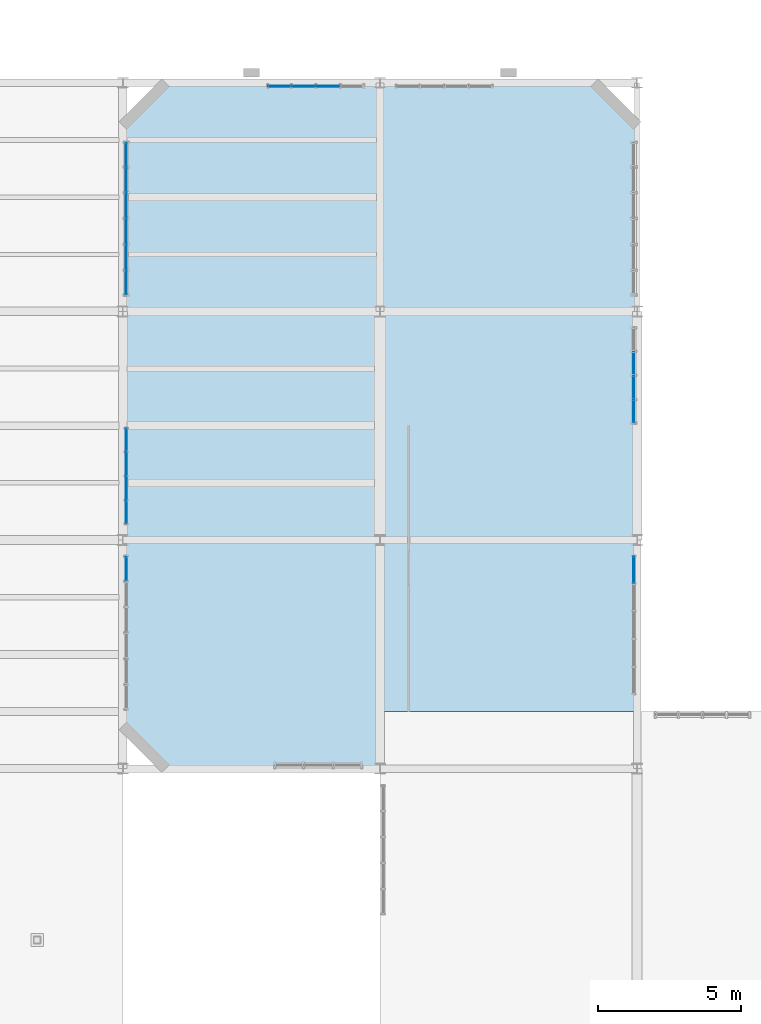
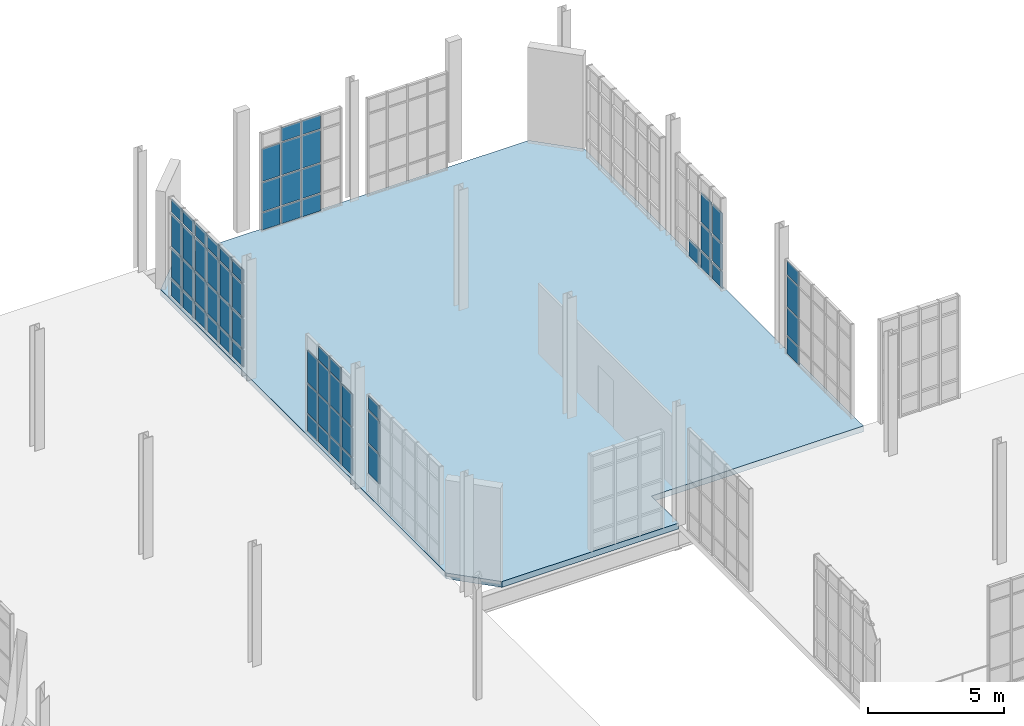
# One storey, part 161 of 189: 63 plates, 1 slab, 6 elements without a shape of their own.
"""IFC4 building model written with IfcOpenShell, lengths in metres."""

import ifcopenshell
import ifcopenshell.guid

model = None  # the IFC model being written
_history = None  # IfcOwnerHistory: only IFC2X3 demands one
_inside = {}  # id of a spatial element -> (the spatial element, [elements in it])
_under = {}  # id of a project, library or spatial element -> (it, [spatial elements below it])
_declared = {}  # id of a project -> (the project, [libraries it declares])
_typed = {}  # id of a type object -> (the type object, [elements of that type])
_made_of = {}  # id of a material, layer set ... -> (it, [elements and type objects made of it])


def new_model(schema):
    """Start an empty IFC model of exactly this schema.

    Asked for "IFC4X3", IfcOpenShell would pick the latest addendum, in which some entities
    have other attributes; the version numbers below select the first issue.
    IFC2X3 requires an IfcOwnerHistory on every rooted entity: one is made here for all.
    """
    global model, _history
    if schema == "IFC4X3":
        model = ifcopenshell.file(schema_version=(4, 3, 0, 0))
    else:
        model = ifcopenshell.file(schema=schema)
    _inside.clear()
    _under.clear()
    _declared.clear()
    _typed.clear()
    _made_of.clear()
    _history = None
    if model.schema == "IFC2X3":
        org = make("IfcOrganization", Name="unknown")
        user = make(
            "IfcPersonAndOrganization",
            ThePerson=make("IfcPerson", FamilyName="unknown"),
            TheOrganization=org,
        )
        app = make(
            "IfcApplication",
            ApplicationDeveloper=org,
            Version="unknown",
            ApplicationFullName="unknown",
            ApplicationIdentifier="unknown",
        )
        _history = make(
            "IfcOwnerHistory",
            OwningUser=user,
            OwningApplication=app,
            ChangeAction="ADDED",
            CreationDate=0,
        )
    return model


def make(cls, **values):
    """One entity of the class cls with the attributes given. An attribute that is None is left unset."""
    return model.create_entity(
        cls, **{name: value for name, value in values.items() if value is not None}
    )


def rooted(cls, **values):
    """An entity with a GlobalId (a new one), such as an element, a storey or a relation."""
    return make(cls, GlobalId=ifcopenshell.guid.new(), OwnerHistory=_history, **values)


def si_unit(unit_type, name, prefix=None):
    """IfcSIUnit, for example si_unit("LENGTHUNIT", "METRE", prefix="MILLI")."""
    return make("IfcSIUnit", UnitType=unit_type, Prefix=prefix, Name=name)


def assignment(units):
    """IfcUnitAssignment: the units of a project."""
    return None if units is None else make("IfcUnitAssignment", Units=units)


def point(xyz):
    """IfcCartesianPoint."""
    return None if xyz is None else make("IfcCartesianPoint", Coordinates=xyz)


def direction(xyz):
    """IfcDirection."""
    return None if xyz is None else make("IfcDirection", DirectionRatios=xyz)


def frame(location, z_axis=None, x_axis=None):
    """IfcAxis2Placement3D, a coordinate frame: its origin and axes. An axis left out is left unset."""
    return make(
        "IfcAxis2Placement3D",
        Location=point(location),
        Axis=direction(z_axis),
        RefDirection=direction(x_axis),
    )


def frame_2d(location, x_axis=None):
    """IfcAxis2Placement2D, a coordinate frame in the plane: its origin and x axis."""
    return make(
        "IfcAxis2Placement2D", Location=point(location), RefDirection=direction(x_axis)
    )


def origin():
    """The frame at (0, 0, 0) with its axes left unset."""
    return frame((0.0, 0.0, 0.0))


def origin_2d():
    """The frame at (0, 0) in the plane with its x axis left unset."""
    return frame_2d((0.0, 0.0))


def place(relative_to, where):
    """IfcLocalPlacement: puts the frame where relative to a parent placement (None: the world)."""
    return make(
        "IfcLocalPlacement", PlacementRelTo=relative_to, RelativePlacement=where
    )


def context(
    kind, dimensions, precision=None, world=None, true_north=None, identifier=None
):
    """IfcGeometricRepresentationContext, for example the 3D "Model" context."""
    return make(
        "IfcGeometricRepresentationContext",
        ContextIdentifier=identifier,
        ContextType=kind,
        CoordinateSpaceDimension=dimensions,
        Precision=precision,
        WorldCoordinateSystem=world,
        TrueNorth=true_north,
    )


def subcontext(parent, identifier, kind, view, scale=None):
    """IfcGeometricRepresentationSubContext, for example "Body" below "Model"."""
    return make(
        "IfcGeometricRepresentationSubContext",
        ContextIdentifier=identifier,
        ContextType=kind,
        ParentContext=parent,
        TargetScale=scale,
        TargetView=view,
    )


def project(units=None, contexts=None):
    """IfcProject with its units and contexts."""
    return rooted(
        "IfcProject",
        Name="project",
        RepresentationContexts=contexts,
        UnitsInContext=assignment(units),
    )


def spatial(cls, under=None, at=None, **own):
    """A site, building, storey or space (cls), placed at a placement, below another one or the project."""
    s = rooted(cls, ObjectPlacement=at, **own)
    if under is not None:
        _under.setdefault(under.id(), (under, []))[1].append(s)
    return s


def polyline(points):
    """IfcPolyline through the points."""
    return make("IfcPolyline", Points=[point(p) for p in points])


def profile(cls, at=None, kind="AREA", **sizes):
    """A parametric profile (cls). Its sizes go by their IFC names, for example OverallWidth=200.0."""
    return make(cls, ProfileType=kind, Position=at, **sizes)


def rectangle(**sizes):
    """IfcRectangleProfileDef."""
    return profile("IfcRectangleProfileDef", **sizes)


def outline(outer, holes=None, kind="AREA"):
    """IfcArbitraryClosedProfileDef: a profile drawn as a closed curve; with holes, ...WithVoids."""
    if holes is None:
        return make("IfcArbitraryClosedProfileDef", ProfileType=kind, OuterCurve=outer)
    return make(
        "IfcArbitraryProfileDefWithVoids",
        ProfileType=kind,
        OuterCurve=outer,
        InnerCurves=holes,
    )


def extrude(swept, where, along, depth):
    """IfcExtrudedAreaSolid: the profile swept, set in the frame where, extruded along a direction by depth."""
    return make(
        "IfcExtrudedAreaSolid",
        SweptArea=swept,
        Position=where,
        ExtrudedDirection=direction(along),
        Depth=depth,
    )


def shape(context_of_items, identifier, shape_type, items):
    """IfcShapeRepresentation: the items that make up one representation, for example the "Body"."""
    return make(
        "IfcShapeRepresentation",
        ContextOfItems=context_of_items,
        RepresentationIdentifier=identifier,
        RepresentationType=shape_type,
        Items=items,
    )


def material(Name=None, Category=None):
    """IfcMaterial."""
    return make("IfcMaterial", Name=Name, Category=Category)


def layer(
    of_material, thickness, ventilated=None, Name=None, Category=None, Priority=None
):
    """IfcMaterialLayer: one layer of a wall or slab, of a material (None: an air gap)."""
    return make(
        "IfcMaterialLayer",
        Material=of_material,
        LayerThickness=thickness,
        IsVentilated=ventilated,
        Name=Name,
        Category=Category,
        Priority=Priority,
    )


def layer_set(layers, Name=None):
    """IfcMaterialLayerSet."""
    return make("IfcMaterialLayerSet", MaterialLayers=layers, LayerSetName=Name)


def made_of(thing, what):
    """Note that an element or type object is made of a material, layer set ...; save() writes the relation."""
    if what is not None:
        _made_of.setdefault(what.id(), (what, []))[1].append(thing)
    return thing


def type_object(cls, material=None, **own):
    """A type object (cls), such as IfcWallType, which elements share."""
    return made_of(rooted(cls, **own), material)


def element(
    cls,
    number,
    at=None,
    inside=None,
    cuts=None,
    type_object=None,
    material=None,
    context=None,
    identifier="Body",
    shape_type=None,
    held_by="IfcProductDefinitionShape",
    body=None,
    shapes=None,
    **own,
):
    """One element of the class cls, such as IfcWall. Its Tag is "e" and its number.

    at: its placement. inside: the storey or other place that contains it. cuts: it is an
    opening in that element (IfcRelVoidsElement). A single representation is given by context,
    identifier, shape_type and body (its items); several are given by shapes. held_by: the class
    of the entity that holds the representations. save() writes the other relations.
    """
    e = rooted(cls, Tag="e%d" % number, ObjectPlacement=at, **own)
    if body is not None:
        shapes = [shape(context, identifier, shape_type, body)]
    if shapes is not None:
        e.Representation = make(held_by, Representations=shapes)
    if inside is not None:
        _inside.setdefault(inside.id(), (inside, []))[1].append(e)
    if cuts is not None:
        rooted(
            "IfcRelVoidsElement", RelatingBuildingElement=cuts, RelatedOpeningElement=e
        )
    if type_object is not None:
        _typed.setdefault(type_object.id(), (type_object, []))[1].append(e)
    return made_of(e, material)


def aggregate(whole, parts):
    """IfcRelAggregates: a whole, such as a stair, and the parts it consists of."""
    return rooted("IfcRelAggregates", RelatingObject=whole, RelatedObjects=parts)


def save(model, path):
    """Write the relations noted so far, then the file.

    IfcRelAggregates (storeys below a building ...), IfcRelContainedInSpatialStructure (elements
    in a storey), IfcRelDefinesByType, IfcRelAssociatesMaterial and IfcRelDeclares: one each for
    every whole, place, type object, material and project.
    """
    for whole, parts in _under.values():
        aggregate(whole, parts)
    for where, things in _inside.values():
        rooted(
            "IfcRelContainedInSpatialStructure",
            RelatedElements=things,
            RelatingStructure=where,
        )
    for kind, things in _typed.values():
        rooted("IfcRelDefinesByType", RelatedObjects=things, RelatingType=kind)
    for what, things in _made_of.values():
        rooted("IfcRelAssociatesMaterial", RelatedObjects=things, RelatingMaterial=what)
    for by, libraries in _declared.values():
        rooted("IfcRelDeclares", RelatingContext=by, RelatedDefinitions=libraries)
    model.write(path)


model = new_model("IFC4")

# Units and contexts
model_context = context("Model", 3, precision=1e-05, world=origin(), true_north=direction((0.0, 1.0)))
body_context = subcontext(model_context, "Body", "Model", "MODEL_VIEW")
ifc_project = project(units=[si_unit("LENGTHUNIT", "METRE"), si_unit("AREAUNIT", "SQUARE_METRE"), si_unit("VOLUMEUNIT", "CUBIC_METRE"), si_unit("PLANEANGLEUNIT", "RADIAN"), si_unit("MASSUNIT", "GRAM", prefix="KILO"), si_unit("THERMODYNAMICTEMPERATUREUNIT", "KELVIN"), si_unit("POWERUNIT", "WATT")], contexts=[model_context])

# Site, building, storey
site_placement = place(None, origin())
site = spatial("IfcSite", under=ifc_project, at=site_placement, CompositionType="ELEMENT")
building_placement = place(site_placement, origin())
building = spatial("IfcBuilding", under=site, at=building_placement, Name="Zelmaris Science Centre", CompositionType="ELEMENT")
storey_placement = place(building_placement, origin())
storey = spatial("IfcBuildingStorey", under=building, at=storey_placement, Name="L00", CompositionType="ELEMENT", Elevation=0.0)

# Curtain wall, plates
ifc_material_1 = material(Name="Anodised architectural aluminium 6063-T6", Category="aluminium")
ifc_layer_1 = layer(ifc_material_1, 0.199951171875, Name="Anodised architectural aluminium 6063-T6")
ifc_layer_set_1 = layer_set([ifc_layer_1], Name="Anodised architectural aluminium 6063-T6")
curtain_wall_type_1 = type_object("IfcCurtainWallType", Name="Curtain Wall CW-02", PredefinedType="USERDEFINED", material=ifc_layer_set_1)
curtain_wall_1_placement = place(storey_placement, origin())
curtain_wall_1 = element("IfcCurtainWall", 1, at=curtain_wall_1_placement, inside=storey, type_object=curtain_wall_type_1, Name="L00 Unitised curtain wall 82", ObjectType="GLAZED CURTAIN WALL", PredefinedType="USERDEFINED")
ifc_material_2 = material(Name="Laminated hurricane-rated low-E insulated glazing", Category="glass")
ifc_layer_2 = layer(ifc_material_2, 0.028076171875, Name="Laminated hurricane-rated low-E insulated glazing")
ifc_layer_set_2 = layer_set([ifc_layer_2], Name="Laminated hurricane-rated low-E insulated glazing")
plate_type_1 = type_object("IfcPlateType", Name="Curtain Glazing Panel CWP-2 28mm", PredefinedType="CURTAIN_PANEL", material=ifc_layer_set_2)
plate_1_placement = place(storey_placement, frame((90.1201171875, 81.00830078125, 0.052001953125), z_axis=(0.0, 0.0, 1.0), x_axis=(0.0, 1.0, 0.0)))
plate_1 = element("IfcPlate", 2, at=plate_1_placement, type_object=plate_type_1, Name="CW-02 panel 1.1", PredefinedType="CURTAIN_PANEL", context=body_context, shape_type="SweptSolid", body=[
    extrude(rectangle(XDim=0.802734375, YDim=0.028076171875, at=origin_2d()), origin(), (0.0, 0.0, 1.0), 0.74951171875),
])
plate_2_placement = place(storey_placement, frame((90.1201171875, 81.00830078125, 0.86865234375), z_axis=(0.0, 0.0, 1.0), x_axis=(0.0, 1.0, 0.0)))
plate_2 = element("IfcPlate", 3, at=plate_2_placement, type_object=plate_type_1, Name="CW-02 panel 1.2", PredefinedType="CURTAIN_PANEL", context=body_context, shape_type="SweptSolid", body=[
    extrude(rectangle(XDim=0.802734375, YDim=0.028076171875, at=origin_2d()), origin(), (0.0, 0.0, 1.0), 1.326904296875),
])
plate_3_placement = place(storey_placement, frame((90.1201171875, 81.00830078125, 2.262451171875), z_axis=(0.0, 0.0, 1.0), x_axis=(0.0, 1.0, 0.0)))
plate_3 = element("IfcPlate", 4, at=plate_3_placement, type_object=plate_type_1, Name="CW-02 panel 1.3", PredefinedType="CURTAIN_PANEL", context=body_context, shape_type="SweptSolid", body=[
    extrude(rectangle(XDim=0.802734375, YDim=0.028076171875, at=origin_2d()), origin(), (0.0, 0.0, 1.0), 1.47705078125),
])
plate_4_placement = place(storey_placement, frame((90.1201171875, 81.00830078125, 3.806396484375), z_axis=(0.0, 0.0, 1.0), x_axis=(0.0, 1.0, 0.0)))
plate_4 = element("IfcPlate", 5, at=plate_4_placement, type_object=plate_type_1, Name="CW-02 panel 1.4", PredefinedType="CURTAIN_PANEL", context=body_context, shape_type="SweptSolid", body=[
    extrude(rectangle(XDim=0.802734375, YDim=0.028076171875, at=origin_2d()), origin(), (0.0, 0.0, 1.0), 0.599609375),
])
plate_5_placement = place(storey_placement, frame((90.1201171875, 81.89501953125, 0.052001953125), z_axis=(0.0, 0.0, 1.0), x_axis=(0.0, 1.0, 0.0)))
plate_5 = element("IfcPlate", 6, at=plate_5_placement, type_object=plate_type_1, Name="CW-02 panel 2.1", PredefinedType="CURTAIN_PANEL", context=body_context, shape_type="SweptSolid", body=[
    extrude(rectangle(XDim=0.83642578125, YDim=0.028076171875, at=origin_2d()), origin(), (0.0, 0.0, 1.0), 0.74951171875),
])
plate_6_placement = place(storey_placement, frame((90.1201171875, 81.89501953125, 0.86865234375), z_axis=(0.0, 0.0, 1.0), x_axis=(0.0, 1.0, 0.0)))
plate_6 = element("IfcPlate", 7, at=plate_6_placement, type_object=plate_type_1, Name="CW-02 panel 2.2", PredefinedType="CURTAIN_PANEL", context=body_context, shape_type="SweptSolid", body=[
    extrude(rectangle(XDim=0.83642578125, YDim=0.028076171875, at=origin_2d()), origin(), (0.0, 0.0, 1.0), 1.326904296875),
])
plate_7_placement = place(storey_placement, frame((90.1201171875, 81.89501953125, 2.262451171875), z_axis=(0.0, 0.0, 1.0), x_axis=(0.0, 1.0, 0.0)))
plate_7 = element("IfcPlate", 8, at=plate_7_placement, type_object=plate_type_1, Name="CW-02 panel 2.3", PredefinedType="CURTAIN_PANEL", context=body_context, shape_type="SweptSolid", body=[
    extrude(rectangle(XDim=0.83642578125, YDim=0.028076171875, at=origin_2d()), origin(), (0.0, 0.0, 1.0), 1.47705078125),
])
plate_8_placement = place(storey_placement, frame((90.1201171875, 81.89501953125, 3.806396484375), z_axis=(0.0, 0.0, 1.0), x_axis=(0.0, 1.0, 0.0)))
plate_8 = element("IfcPlate", 9, at=plate_8_placement, type_object=plate_type_1, Name="CW-02 panel 2.4", PredefinedType="CURTAIN_PANEL", context=body_context, shape_type="SweptSolid", body=[
    extrude(rectangle(XDim=0.83642578125, YDim=0.028076171875, at=origin_2d()), origin(), (0.0, 0.0, 1.0), 0.599609375),
])
plate_9_placement = place(storey_placement, frame((90.1201171875, 82.79833984375, 0.052001953125), z_axis=(0.0, 0.0, 1.0), x_axis=(0.0, 1.0, 0.0)))
plate_9 = element("IfcPlate", 10, at=plate_9_placement, type_object=plate_type_1, Name="CW-02 panel 3.1", PredefinedType="CURTAIN_PANEL", context=body_context, shape_type="SweptSolid", body=[
    extrude(rectangle(XDim=0.83642578125, YDim=0.028076171875, at=origin_2d()), origin(), (0.0, 0.0, 1.0), 0.74951171875),
])
plate_10_placement = place(storey_placement, frame((90.1201171875, 82.79833984375, 0.86865234375), z_axis=(0.0, 0.0, 1.0), x_axis=(0.0, 1.0, 0.0)))
plate_10 = element("IfcPlate", 11, at=plate_10_placement, type_object=plate_type_1, Name="CW-02 panel 3.2", PredefinedType="CURTAIN_PANEL", context=body_context, shape_type="SweptSolid", body=[
    extrude(rectangle(XDim=0.83642578125, YDim=0.028076171875, at=origin_2d()), origin(), (0.0, 0.0, 1.0), 1.326904296875),
])
plate_11_placement = place(storey_placement, frame((90.1201171875, 82.79833984375, 2.262451171875), z_axis=(0.0, 0.0, 1.0), x_axis=(0.0, 1.0, 0.0)))
plate_11 = element("IfcPlate", 12, at=plate_11_placement, type_object=plate_type_1, Name="CW-02 panel 3.3", PredefinedType="CURTAIN_PANEL", context=body_context, shape_type="SweptSolid", body=[
    extrude(rectangle(XDim=0.83642578125, YDim=0.028076171875, at=origin_2d()), origin(), (0.0, 0.0, 1.0), 1.47705078125),
])
plate_12_placement = place(storey_placement, frame((90.1201171875, 82.79833984375, 3.806396484375), z_axis=(0.0, 0.0, 1.0), x_axis=(0.0, 1.0, 0.0)))
plate_12 = element("IfcPlate", 13, at=plate_12_placement, type_object=plate_type_1, Name="CW-02 panel 3.4", PredefinedType="CURTAIN_PANEL", context=body_context, shape_type="SweptSolid", body=[
    extrude(rectangle(XDim=0.83642578125, YDim=0.028076171875, at=origin_2d()), origin(), (0.0, 0.0, 1.0), 0.599609375),
])
plate_13_placement = place(storey_placement, frame((90.1201171875, 83.70166015625, 0.052001953125), z_axis=(0.0, 0.0, 1.0), x_axis=(0.0, 1.0, 0.0)))
plate_13 = element("IfcPlate", 14, at=plate_13_placement, type_object=plate_type_1, Name="CW-02 panel 4.1", PredefinedType="CURTAIN_PANEL", context=body_context, shape_type="SweptSolid", body=[
    extrude(rectangle(XDim=0.83642578125, YDim=0.028076171875, at=origin_2d()), origin(), (0.0, 0.0, 1.0), 0.74951171875),
])
plate_14_placement = place(storey_placement, frame((90.1201171875, 83.70166015625, 0.86865234375), z_axis=(0.0, 0.0, 1.0), x_axis=(0.0, 1.0, 0.0)))
plate_14 = element("IfcPlate", 15, at=plate_14_placement, type_object=plate_type_1, Name="CW-02 panel 4.2", PredefinedType="CURTAIN_PANEL", context=body_context, shape_type="SweptSolid", body=[
    extrude(rectangle(XDim=0.83642578125, YDim=0.028076171875, at=origin_2d()), origin(), (0.0, 0.0, 1.0), 1.326904296875),
])
plate_15_placement = place(storey_placement, frame((90.1201171875, 83.70166015625, 2.262451171875), z_axis=(0.0, 0.0, 1.0), x_axis=(0.0, 1.0, 0.0)))
plate_15 = element("IfcPlate", 16, at=plate_15_placement, type_object=plate_type_1, Name="CW-02 panel 4.3", PredefinedType="CURTAIN_PANEL", context=body_context, shape_type="SweptSolid", body=[
    extrude(rectangle(XDim=0.83642578125, YDim=0.028076171875, at=origin_2d()), origin(), (0.0, 0.0, 1.0), 1.47705078125),
])
plate_16_placement = place(storey_placement, frame((90.1201171875, 83.70166015625, 3.806396484375), z_axis=(0.0, 0.0, 1.0), x_axis=(0.0, 1.0, 0.0)))
plate_16 = element("IfcPlate", 17, at=plate_16_placement, type_object=plate_type_1, Name="CW-02 panel 4.4", PredefinedType="CURTAIN_PANEL", context=body_context, shape_type="SweptSolid", body=[
    extrude(rectangle(XDim=0.83642578125, YDim=0.028076171875, at=origin_2d()), origin(), (0.0, 0.0, 1.0), 0.599609375),
])
plate_17_placement = place(storey_placement, frame((90.1201171875, 84.60498046875, 0.052001953125), z_axis=(0.0, 0.0, 1.0), x_axis=(0.0, 1.0, 0.0)))
plate_17 = element("IfcPlate", 18, at=plate_17_placement, type_object=plate_type_1, Name="CW-02 panel 5.1", PredefinedType="CURTAIN_PANEL", context=body_context, shape_type="SweptSolid", body=[
    extrude(rectangle(XDim=0.83642578125, YDim=0.028076171875, at=origin_2d()), origin(), (0.0, 0.0, 1.0), 0.74951171875),
])
plate_18_placement = place(storey_placement, frame((90.1201171875, 84.60498046875, 0.86865234375), z_axis=(0.0, 0.0, 1.0), x_axis=(0.0, 1.0, 0.0)))
plate_18 = element("IfcPlate", 19, at=plate_18_placement, type_object=plate_type_1, Name="CW-02 panel 5.2", PredefinedType="CURTAIN_PANEL", context=body_context, shape_type="SweptSolid", body=[
    extrude(rectangle(XDim=0.83642578125, YDim=0.028076171875, at=origin_2d()), origin(), (0.0, 0.0, 1.0), 1.326904296875),
])
plate_19_placement = place(storey_placement, frame((90.1201171875, 84.60498046875, 2.262451171875), z_axis=(0.0, 0.0, 1.0), x_axis=(0.0, 1.0, 0.0)))
plate_19 = element("IfcPlate", 20, at=plate_19_placement, type_object=plate_type_1, Name="CW-02 panel 5.3", PredefinedType="CURTAIN_PANEL", context=body_context, shape_type="SweptSolid", body=[
    extrude(rectangle(XDim=0.83642578125, YDim=0.028076171875, at=origin_2d()), origin(), (0.0, 0.0, 1.0), 1.47705078125),
])
plate_20_placement = place(storey_placement, frame((90.1201171875, 84.60498046875, 3.806396484375), z_axis=(0.0, 0.0, 1.0), x_axis=(0.0, 1.0, 0.0)))
plate_20 = element("IfcPlate", 21, at=plate_20_placement, type_object=plate_type_1, Name="CW-02 panel 5.4", PredefinedType="CURTAIN_PANEL", context=body_context, shape_type="SweptSolid", body=[
    extrude(rectangle(XDim=0.83642578125, YDim=0.028076171875, at=origin_2d()), origin(), (0.0, 0.0, 1.0), 0.599609375),
])
plate_21_placement = place(storey_placement, frame((90.1201171875, 85.49169921875, 0.052001953125), z_axis=(0.0, 0.0, 1.0), x_axis=(0.0, 1.0, 0.0)))
plate_21 = element("IfcPlate", 22, at=plate_21_placement, type_object=plate_type_1, Name="CW-02 panel 6.1", PredefinedType="CURTAIN_PANEL", context=body_context, shape_type="SweptSolid", body=[
    extrude(rectangle(XDim=0.802734375, YDim=0.028076171875, at=origin_2d()), origin(), (0.0, 0.0, 1.0), 0.74951171875),
])
plate_22_placement = place(storey_placement, frame((90.1201171875, 85.49169921875, 0.86865234375), z_axis=(0.0, 0.0, 1.0), x_axis=(0.0, 1.0, 0.0)))
plate_22 = element("IfcPlate", 23, at=plate_22_placement, type_object=plate_type_1, Name="CW-02 panel 6.2", PredefinedType="CURTAIN_PANEL", context=body_context, shape_type="SweptSolid", body=[
    extrude(rectangle(XDim=0.802734375, YDim=0.028076171875, at=origin_2d()), origin(), (0.0, 0.0, 1.0), 1.326904296875),
])
plate_23_placement = place(storey_placement, frame((90.1201171875, 85.49169921875, 2.262451171875), z_axis=(0.0, 0.0, 1.0), x_axis=(0.0, 1.0, 0.0)))
plate_23 = element("IfcPlate", 24, at=plate_23_placement, type_object=plate_type_1, Name="CW-02 panel 6.3", PredefinedType="CURTAIN_PANEL", context=body_context, shape_type="SweptSolid", body=[
    extrude(rectangle(XDim=0.802734375, YDim=0.028076171875, at=origin_2d()), origin(), (0.0, 0.0, 1.0), 1.47705078125),
])
plate_24_placement = place(storey_placement, frame((90.1201171875, 85.49169921875, 3.806396484375), z_axis=(0.0, 0.0, 1.0), x_axis=(0.0, 1.0, 0.0)))
plate_24 = element("IfcPlate", 25, at=plate_24_placement, type_object=plate_type_1, Name="CW-02 panel 6.4", PredefinedType="CURTAIN_PANEL", context=body_context, shape_type="SweptSolid", body=[
    extrude(rectangle(XDim=0.802734375, YDim=0.028076171875, at=origin_2d()), origin(), (0.0, 0.0, 1.0), 0.599609375),
])
aggregate(curtain_wall_1, [plate_1, plate_2, plate_3, plate_4, plate_5, plate_6, plate_7, plate_8, plate_9, plate_10, plate_11, plate_12, plate_13, plate_14, plate_15, plate_16, plate_17, plate_18, plate_19, plate_20, plate_21, plate_22, plate_23, plate_24])

curtain_wall_2_placement = place(storey_placement, origin())
curtain_wall_2 = element("IfcCurtainWall", 26, at=curtain_wall_2_placement, inside=storey, type_object=curtain_wall_type_1, Name="L00 Unitised curtain wall 86", ObjectType="GLAZED CURTAIN WALL", PredefinedType="USERDEFINED")
plate_25_placement = place(storey_placement, frame((107.881103515625, 78.18505859375, 0.052001953125), z_axis=(0.0, 0.0, 1.0), x_axis=(0.000147058824, -0.999999989187, 0.0)))
plate_25 = element("IfcPlate", 27, at=plate_25_placement, type_object=plate_type_1, Name="CW-02 panel 2.1", PredefinedType="CURTAIN_PANEL", context=body_context, shape_type="SweptSolid", body=[
    extrude(rectangle(XDim=0.782958984375, YDim=0.028076171875, at=origin_2d()), origin(), (0.0, 0.0, 1.0), 0.74951171875),
])
plate_26_placement = place(storey_placement, frame((107.881103515625, 77.3349609375, 0.052001953125), z_axis=(0.0, 0.0, 1.0), x_axis=(0.000147058824, -0.999999989187, 0.0)))
plate_26 = element("IfcPlate", 28, at=plate_26_placement, type_object=plate_type_1, Name="CW-02 panel 3.1", PredefinedType="CURTAIN_PANEL", context=body_context, shape_type="SweptSolid", body=[
    extrude(rectangle(XDim=0.782958984375, YDim=0.028076171875, at=origin_2d()), origin(), (0.0, 0.0, 1.0), 0.74951171875),
])
plate_27_placement = place(storey_placement, frame((107.881103515625, 77.3349609375, 0.86865234375), z_axis=(0.0, 0.0, 1.0), x_axis=(0.000147058824, -0.999999989187, 0.0)))
plate_27 = element("IfcPlate", 29, at=plate_27_placement, type_object=plate_type_1, Name="CW-02 panel 3.2", PredefinedType="CURTAIN_PANEL", context=body_context, shape_type="SweptSolid", body=[
    extrude(rectangle(XDim=0.782958984375, YDim=0.028076171875, at=origin_2d()), origin(), (0.0, 0.0, 1.0), 1.16943359375),
])
plate_28_placement = place(storey_placement, frame((107.881103515625, 77.3349609375, 2.10498046875), z_axis=(0.0, 0.0, 1.0), x_axis=(0.000147058824, -0.999999989187, 0.0)))
plate_28 = element("IfcPlate", 30, at=plate_28_placement, type_object=plate_type_1, Name="CW-02 panel 3.3", PredefinedType="CURTAIN_PANEL", context=body_context, shape_type="SweptSolid", body=[
    extrude(rectangle(XDim=0.782958984375, YDim=0.028076171875, at=origin_2d()), origin(), (0.0, 0.0, 1.0), 1.319580078125),
])
plate_29_placement = place(storey_placement, frame((107.88134765625, 76.501708984375, 0.052001953125), z_axis=(0.0, 0.0, 1.0), x_axis=(0.000147058824, -0.999999989187, 0.0)))
plate_29 = element("IfcPlate", 31, at=plate_29_placement, type_object=plate_type_1, Name="CW-02 panel 4.1", PredefinedType="CURTAIN_PANEL", context=body_context, shape_type="SweptSolid", body=[
    extrude(rectangle(XDim=0.74951171875, YDim=0.028076171875, at=origin_2d()), origin(), (0.0, 0.0, 1.0), 0.74951171875),
])
plate_30_placement = place(storey_placement, frame((107.88134765625, 76.501708984375, 0.86865234375), z_axis=(0.0, 0.0, 1.0), x_axis=(0.000147058824, -0.999999989187, 0.0)))
plate_30 = element("IfcPlate", 32, at=plate_30_placement, type_object=plate_type_1, Name="CW-02 panel 4.2", PredefinedType="CURTAIN_PANEL", context=body_context, shape_type="SweptSolid", body=[
    extrude(rectangle(XDim=0.74951171875, YDim=0.028076171875, at=origin_2d()), origin(), (0.0, 0.0, 1.0), 1.16943359375),
])
plate_31_placement = place(storey_placement, frame((107.88134765625, 76.501708984375, 2.10498046875), z_axis=(0.0, 0.0, 1.0), x_axis=(0.000147058824, -0.999999989187, 0.0)))
plate_31 = element("IfcPlate", 33, at=plate_31_placement, type_object=plate_type_1, Name="CW-02 panel 4.3", PredefinedType="CURTAIN_PANEL", context=body_context, shape_type="SweptSolid", body=[
    extrude(rectangle(XDim=0.74951171875, YDim=0.028076171875, at=origin_2d()), origin(), (0.0, 0.0, 1.0), 1.319580078125),
])
aggregate(curtain_wall_2, [plate_25, plate_26, plate_27, plate_28, plate_29, plate_30, plate_31])

ifc_layer_3 = layer(ifc_material_1, 0.2099609375, Name="Anodised architectural aluminium 6063-T6")
ifc_layer_set_3 = layer_set([ifc_layer_3], Name="Anodised architectural aluminium 6063-T6")
curtain_wall_type_2 = type_object("IfcCurtainWallType", Name="Curtain Wall CW-03", PredefinedType="USERDEFINED", material=ifc_layer_set_3)
curtain_wall_3_placement = place(storey_placement, origin())
curtain_wall_3 = element("IfcCurtainWall", 34, at=curtain_wall_3_placement, inside=storey, type_object=curtain_wall_type_2, Name="L00 Unitised curtain wall 79", ObjectType="GLAZED CURTAIN WALL", PredefinedType="USERDEFINED")
ifc_layer_4 = layer(ifc_material_2, 0.02587890625, Name="Laminated hurricane-rated low-E insulated glazing")
ifc_layer_set_4 = layer_set([ifc_layer_4], Name="Laminated hurricane-rated low-E insulated glazing")
plate_type_2 = type_object("IfcPlateType", Name="Curtain Glazing Panel CWP-3 26mm", PredefinedType="CURTAIN_PANEL", material=ifc_layer_set_4)
plate_32_placement = place(storey_placement, frame((90.1201171875, 70.994140625, 0.86328125), z_axis=(0.0, 0.0, 1.0), x_axis=(0.0, 1.0, 0.0)))
plate_32 = element("IfcPlate", 35, at=plate_32_placement, type_object=plate_type_2, Name="CW-03 panel 6.2", PredefinedType="CURTAIN_PANEL", context=body_context, shape_type="SweptSolid", body=[
    extrude(rectangle(XDim=0.81787109375, YDim=0.02587890625, at=origin_2d()), origin(), (0.0, 0.0, 1.0), 1.301513671875),
])
plate_33_placement = place(storey_placement, frame((90.1201171875, 70.994140625, 2.22216796875), z_axis=(0.0, 0.0, 1.0), x_axis=(0.0, 1.0, 0.0)))
plate_33 = element("IfcPlate", 36, at=plate_33_placement, type_object=plate_type_2, Name="CW-03 panel 6.3", PredefinedType="CURTAIN_PANEL", context=body_context, shape_type="SweptSolid", body=[
    extrude(rectangle(XDim=0.81787109375, YDim=0.02587890625, at=origin_2d()), origin(), (0.0, 0.0, 1.0), 1.451416015625),
])
plate_34_placement = place(storey_placement, frame((90.1201171875, 70.994140625, 3.73046875), z_axis=(0.0, 0.0, 1.0), x_axis=(0.0, 1.0, 0.0)))
plate_34 = element("IfcPlate", 37, at=plate_34_placement, type_object=plate_type_2, Name="CW-03 panel 6.4", PredefinedType="CURTAIN_PANEL", context=body_context, shape_type="SweptSolid", body=[
    extrude(rectangle(XDim=0.81787109375, YDim=0.02587890625, at=origin_2d()), origin(), (0.0, 0.0, 1.0), 0.614501953125),
])
aggregate(curtain_wall_3, [plate_32, plate_33, plate_34])

curtain_wall_4_placement = place(storey_placement, origin())
curtain_wall_4 = element("IfcCurtainWall", 38, at=curtain_wall_4_placement, inside=storey, type_object=curtain_wall_type_2, Name="L00 Unitised curtain wall 83", ObjectType="GLAZED CURTAIN WALL", PredefinedType="USERDEFINED")
plate_35_placement = place(storey_placement, frame((95.481689453125, 87.8798828125, 0.0419921875), z_axis=(0.0, 0.0, 1.0), x_axis=(1.0, 0.0, 0.0)))
plate_35 = element("IfcPlate", 39, at=plate_35_placement, type_object=plate_type_2, Name="CW-03 panel 1.1", PredefinedType="CURTAIN_PANEL", context=body_context, shape_type="SweptSolid", body=[
    extrude(rectangle(XDim=0.76953125, YDim=0.02587890625, at=origin_2d()), origin(), (0.0, 0.0, 1.0), 0.764404296875),
])
plate_36_placement = place(storey_placement, frame((95.481689453125, 87.8798828125, 0.86328125), z_axis=(0.0, 0.0, 1.0), x_axis=(1.0, 0.0, 0.0)))
plate_36 = element("IfcPlate", 40, at=plate_36_placement, type_object=plate_type_2, Name="CW-03 panel 1.2", PredefinedType="CURTAIN_PANEL", context=body_context, shape_type="SweptSolid", body=[
    extrude(rectangle(XDim=0.76953125, YDim=0.02587890625, at=origin_2d()), origin(), (0.0, 0.0, 1.0), 1.301513671875),
])
plate_37_placement = place(storey_placement, frame((95.481689453125, 87.8798828125, 2.22216796875), z_axis=(0.0, 0.0, 1.0), x_axis=(1.0, 0.0, 0.0)))
plate_37 = element("IfcPlate", 41, at=plate_37_placement, type_object=plate_type_2, Name="CW-03 panel 1.3", PredefinedType="CURTAIN_PANEL", context=body_context, shape_type="SweptSolid", body=[
    extrude(rectangle(XDim=0.76953125, YDim=0.02587890625, at=origin_2d()), origin(), (0.0, 0.0, 1.0), 1.451416015625),
])
plate_38_placement = place(storey_placement, frame((96.322509765625, 87.8798828125, 0.0419921875), z_axis=(0.0, 0.0, 1.0), x_axis=(1.0, 0.0, 0.0)))
plate_38 = element("IfcPlate", 42, at=plate_38_placement, type_object=plate_type_2, Name="CW-03 panel 2.1", PredefinedType="CURTAIN_PANEL", context=body_context, shape_type="SweptSolid", body=[
    extrude(rectangle(XDim=0.798095703125, YDim=0.02587890625, at=origin_2d()), origin(), (0.0, 0.0, 1.0), 0.764404296875),
])
plate_39_placement = place(storey_placement, frame((96.322509765625, 87.8798828125, 0.86328125), z_axis=(0.0, 0.0, 1.0), x_axis=(1.0, 0.0, 0.0)))
plate_39 = element("IfcPlate", 43, at=plate_39_placement, type_object=plate_type_2, Name="CW-03 panel 2.2", PredefinedType="CURTAIN_PANEL", context=body_context, shape_type="SweptSolid", body=[
    extrude(rectangle(XDim=0.798095703125, YDim=0.02587890625, at=origin_2d()), origin(), (0.0, 0.0, 1.0), 1.301513671875),
])
plate_40_placement = place(storey_placement, frame((96.322509765625, 87.8798828125, 2.22216796875), z_axis=(0.0, 0.0, 1.0), x_axis=(1.0, 0.0, 0.0)))
plate_40 = element("IfcPlate", 44, at=plate_40_placement, type_object=plate_type_2, Name="CW-03 panel 2.3", PredefinedType="CURTAIN_PANEL", context=body_context, shape_type="SweptSolid", body=[
    extrude(rectangle(XDim=0.798095703125, YDim=0.02587890625, at=origin_2d()), origin(), (0.0, 0.0, 1.0), 1.451416015625),
])
plate_41_placement = place(storey_placement, frame((96.322509765625, 87.8798828125, 3.73046875), z_axis=(0.0, 0.0, 1.0), x_axis=(1.0, 0.0, 0.0)))
plate_41 = element("IfcPlate", 45, at=plate_41_placement, type_object=plate_type_2, Name="CW-03 panel 2.4", PredefinedType="CURTAIN_PANEL", context=body_context, shape_type="SweptSolid", body=[
    extrude(rectangle(XDim=0.798095703125, YDim=0.02587890625, at=origin_2d()), origin(), (0.0, 0.0, 1.0), 0.614501953125),
])
plate_42_placement = place(storey_placement, frame((97.177490234375, 87.8798828125, 0.0419921875), z_axis=(0.0, 0.0, 1.0), x_axis=(1.0, 0.0, 0.0)))
plate_42 = element("IfcPlate", 46, at=plate_42_placement, type_object=plate_type_2, Name="CW-03 panel 3.1", PredefinedType="CURTAIN_PANEL", context=body_context, shape_type="SweptSolid", body=[
    extrude(rectangle(XDim=0.798095703125, YDim=0.02587890625, at=origin_2d()), origin(), (0.0, 0.0, 1.0), 0.764404296875),
])
plate_43_placement = place(storey_placement, frame((97.177490234375, 87.8798828125, 0.86328125), z_axis=(0.0, 0.0, 1.0), x_axis=(1.0, 0.0, 0.0)))
plate_43 = element("IfcPlate", 47, at=plate_43_placement, type_object=plate_type_2, Name="CW-03 panel 3.2", PredefinedType="CURTAIN_PANEL", context=body_context, shape_type="SweptSolid", body=[
    extrude(rectangle(XDim=0.798095703125, YDim=0.02587890625, at=origin_2d()), origin(), (0.0, 0.0, 1.0), 1.301513671875),
])
plate_44_placement = place(storey_placement, frame((97.177490234375, 87.8798828125, 2.22216796875), z_axis=(0.0, 0.0, 1.0), x_axis=(1.0, 0.0, 0.0)))
plate_44 = element("IfcPlate", 48, at=plate_44_placement, type_object=plate_type_2, Name="CW-03 panel 3.3", PredefinedType="CURTAIN_PANEL", context=body_context, shape_type="SweptSolid", body=[
    extrude(rectangle(XDim=0.798095703125, YDim=0.02587890625, at=origin_2d()), origin(), (0.0, 0.0, 1.0), 1.451416015625),
])
plate_45_placement = place(storey_placement, frame((97.177490234375, 87.8798828125, 3.73046875), z_axis=(0.0, 0.0, 1.0), x_axis=(1.0, 0.0, 0.0)))
plate_45 = element("IfcPlate", 49, at=plate_45_placement, type_object=plate_type_2, Name="CW-03 panel 3.4", PredefinedType="CURTAIN_PANEL", context=body_context, shape_type="SweptSolid", body=[
    extrude(rectangle(XDim=0.798095703125, YDim=0.02587890625, at=origin_2d()), origin(), (0.0, 0.0, 1.0), 0.614501953125),
])
aggregate(curtain_wall_4, [plate_35, plate_36, plate_37, plate_38, plate_39, plate_40, plate_41, plate_42, plate_43, plate_44, plate_45])

ifc_layer_5 = layer(ifc_material_1, 0.219970703125, Name="Anodised architectural aluminium 6063-T6")
ifc_layer_set_5 = layer_set([ifc_layer_5], Name="Anodised architectural aluminium 6063-T6")
curtain_wall_type_3 = type_object("IfcCurtainWallType", Name="Curtain Wall CW-04", PredefinedType="USERDEFINED", material=ifc_layer_set_5)
curtain_wall_5_placement = place(storey_placement, origin())
curtain_wall_5 = element("IfcCurtainWall", 50, at=curtain_wall_5_placement, inside=storey, type_object=curtain_wall_type_3, Name="L00 Unitised curtain wall 80", ObjectType="GLAZED CURTAIN WALL", PredefinedType="USERDEFINED")
ifc_layer_6 = layer(ifc_material_2, 0.02392578125, Name="Laminated hurricane-rated low-E insulated glazing")
ifc_layer_set_6 = layer_set([ifc_layer_6], Name="Laminated hurricane-rated low-E insulated glazing")
plate_type_3 = type_object("IfcPlateType", Name="Curtain Glazing Panel CWP-4 24mm", PredefinedType="CURTAIN_PANEL", material=ifc_layer_set_6)
plate_46_placement = place(storey_placement, frame((90.1201171875, 72.97802734375, 0.037109375), z_axis=(0.0, 0.0, 1.0), x_axis=(0.0, 1.0, 0.0)))
plate_46 = element("IfcPlate", 51, at=plate_46_placement, type_object=plate_type_3, Name="CW-04 panel 1.1", PredefinedType="CURTAIN_PANEL", context=body_context, shape_type="SweptSolid", body=[
    extrude(rectangle(XDim=0.77197265625, YDim=0.02392578125, at=origin_2d()), origin(), (0.0, 0.0, 1.0), 0.77197265625),
])
plate_47_placement = place(storey_placement, frame((90.1201171875, 72.97802734375, 0.86083984375), z_axis=(0.0, 0.0, 1.0), x_axis=(0.0, 1.0, 0.0)))
plate_47 = element("IfcPlate", 52, at=plate_47_placement, type_object=plate_type_3, Name="CW-04 panel 1.2", PredefinedType="CURTAIN_PANEL", context=body_context, shape_type="SweptSolid", body=[
    extrude(rectangle(XDim=0.77197265625, YDim=0.02392578125, at=origin_2d()), origin(), (0.0, 0.0, 1.0), 1.306396484375),
])
plate_48_placement = place(storey_placement, frame((90.1201171875, 72.97802734375, 2.219482421875), z_axis=(0.0, 0.0, 1.0), x_axis=(0.0, 1.0, 0.0)))
plate_48 = element("IfcPlate", 53, at=plate_48_placement, type_object=plate_type_3, Name="CW-04 panel 1.3", PredefinedType="CURTAIN_PANEL", context=body_context, shape_type="SweptSolid", body=[
    extrude(rectangle(XDim=0.77197265625, YDim=0.02392578125, at=origin_2d()), origin(), (0.0, 0.0, 1.0), 1.45654296875),
])
plate_49_placement = place(storey_placement, frame((90.1201171875, 73.81494140625, 0.037109375), z_axis=(0.0, 0.0, 1.0), x_axis=(0.0, 1.0, 0.0)))
plate_49 = element("IfcPlate", 54, at=plate_49_placement, type_object=plate_type_3, Name="CW-04 panel 2.1", PredefinedType="CURTAIN_PANEL", context=body_context, shape_type="SweptSolid", body=[
    extrude(rectangle(XDim=0.798095703125, YDim=0.02392578125, at=origin_2d()), origin(), (0.0, 0.0, 1.0), 0.77197265625),
])
plate_50_placement = place(storey_placement, frame((90.1201171875, 73.81494140625, 0.86083984375), z_axis=(0.0, 0.0, 1.0), x_axis=(0.0, 1.0, 0.0)))
plate_50 = element("IfcPlate", 55, at=plate_50_placement, type_object=plate_type_3, Name="CW-04 panel 2.2", PredefinedType="CURTAIN_PANEL", context=body_context, shape_type="SweptSolid", body=[
    extrude(rectangle(XDim=0.798095703125, YDim=0.02392578125, at=origin_2d()), origin(), (0.0, 0.0, 1.0), 1.306396484375),
])
plate_51_placement = place(storey_placement, frame((90.1201171875, 73.81494140625, 2.219482421875), z_axis=(0.0, 0.0, 1.0), x_axis=(0.0, 1.0, 0.0)))
plate_51 = element("IfcPlate", 56, at=plate_51_placement, type_object=plate_type_3, Name="CW-04 panel 2.3", PredefinedType="CURTAIN_PANEL", context=body_context, shape_type="SweptSolid", body=[
    extrude(rectangle(XDim=0.798095703125, YDim=0.02392578125, at=origin_2d()), origin(), (0.0, 0.0, 1.0), 1.45654296875),
])
plate_52_placement = place(storey_placement, frame((90.1201171875, 73.81494140625, 3.72802734375), z_axis=(0.0, 0.0, 1.0), x_axis=(0.0, 1.0, 0.0)))
plate_52 = element("IfcPlate", 57, at=plate_52_placement, type_object=plate_type_3, Name="CW-04 panel 2.4", PredefinedType="CURTAIN_PANEL", context=body_context, shape_type="SweptSolid", body=[
    extrude(rectangle(XDim=0.798095703125, YDim=0.02392578125, at=origin_2d()), origin(), (0.0, 0.0, 1.0), 0.6220703125),
])
plate_53_placement = place(storey_placement, frame((90.1201171875, 74.6650390625, 0.037109375), z_axis=(0.0, 0.0, 1.0), x_axis=(0.0, 1.0, 0.0)))
plate_53 = element("IfcPlate", 58, at=plate_53_placement, type_object=plate_type_3, Name="CW-04 panel 3.1", PredefinedType="CURTAIN_PANEL", context=body_context, shape_type="SweptSolid", body=[
    extrude(rectangle(XDim=0.798095703125, YDim=0.02392578125, at=origin_2d()), origin(), (0.0, 0.0, 1.0), 0.77197265625),
])
plate_54_placement = place(storey_placement, frame((90.1201171875, 74.6650390625, 0.86083984375), z_axis=(0.0, 0.0, 1.0), x_axis=(0.0, 1.0, 0.0)))
plate_54 = element("IfcPlate", 59, at=plate_54_placement, type_object=plate_type_3, Name="CW-04 panel 3.2", PredefinedType="CURTAIN_PANEL", context=body_context, shape_type="SweptSolid", body=[
    extrude(rectangle(XDim=0.798095703125, YDim=0.02392578125, at=origin_2d()), origin(), (0.0, 0.0, 1.0), 1.306396484375),
])
plate_55_placement = place(storey_placement, frame((90.1201171875, 74.6650390625, 2.219482421875), z_axis=(0.0, 0.0, 1.0), x_axis=(0.0, 1.0, 0.0)))
plate_55 = element("IfcPlate", 60, at=plate_55_placement, type_object=plate_type_3, Name="CW-04 panel 3.3", PredefinedType="CURTAIN_PANEL", context=body_context, shape_type="SweptSolid", body=[
    extrude(rectangle(XDim=0.798095703125, YDim=0.02392578125, at=origin_2d()), origin(), (0.0, 0.0, 1.0), 1.45654296875),
])
plate_56_placement = place(storey_placement, frame((90.1201171875, 74.6650390625, 3.72802734375), z_axis=(0.0, 0.0, 1.0), x_axis=(0.0, 1.0, 0.0)))
plate_56 = element("IfcPlate", 61, at=plate_56_placement, type_object=plate_type_3, Name="CW-04 panel 3.4", PredefinedType="CURTAIN_PANEL", context=body_context, shape_type="SweptSolid", body=[
    extrude(rectangle(XDim=0.798095703125, YDim=0.02392578125, at=origin_2d()), origin(), (0.0, 0.0, 1.0), 0.6220703125),
])
plate_57_placement = place(storey_placement, frame((90.1201171875, 75.501953125, 0.037109375), z_axis=(0.0, 0.0, 1.0), x_axis=(0.0, 1.0, 0.0)))
plate_57 = element("IfcPlate", 62, at=plate_57_placement, type_object=plate_type_3, Name="CW-04 panel 4.1", PredefinedType="CURTAIN_PANEL", context=body_context, shape_type="SweptSolid", body=[
    extrude(rectangle(XDim=0.77197265625, YDim=0.02392578125, at=origin_2d()), origin(), (0.0, 0.0, 1.0), 0.77197265625),
])
plate_58_placement = place(storey_placement, frame((90.1201171875, 75.501953125, 0.86083984375), z_axis=(0.0, 0.0, 1.0), x_axis=(0.0, 1.0, 0.0)))
plate_58 = element("IfcPlate", 63, at=plate_58_placement, type_object=plate_type_3, Name="CW-04 panel 4.2", PredefinedType="CURTAIN_PANEL", context=body_context, shape_type="SweptSolid", body=[
    extrude(rectangle(XDim=0.77197265625, YDim=0.02392578125, at=origin_2d()), origin(), (0.0, 0.0, 1.0), 1.306396484375),
])
plate_59_placement = place(storey_placement, frame((90.1201171875, 75.501953125, 2.219482421875), z_axis=(0.0, 0.0, 1.0), x_axis=(0.0, 1.0, 0.0)))
plate_59 = element("IfcPlate", 64, at=plate_59_placement, type_object=plate_type_3, Name="CW-04 panel 4.3", PredefinedType="CURTAIN_PANEL", context=body_context, shape_type="SweptSolid", body=[
    extrude(rectangle(XDim=0.77197265625, YDim=0.02392578125, at=origin_2d()), origin(), (0.0, 0.0, 1.0), 1.45654296875),
])
aggregate(curtain_wall_5, [plate_46, plate_47, plate_48, plate_49, plate_50, plate_51, plate_52, plate_53, plate_54, plate_55, plate_56, plate_57, plate_58, plate_59])

curtain_wall_6_placement = place(storey_placement, origin())
curtain_wall_6 = element("IfcCurtainWall", 65, at=curtain_wall_6_placement, inside=storey, type_object=curtain_wall_type_3, Name="L00 Unitised curtain wall 88", ObjectType="GLAZED CURTAIN WALL", PredefinedType="USERDEFINED")
plate_60_placement = place(storey_placement, frame((107.882080078125, 70.959228515625, 0.037109375), z_axis=(0.0, 0.0, 1.0), x_axis=(0.000123016356, -0.999999992433, 0.0)))
plate_60 = element("IfcPlate", 66, at=plate_60_placement, type_object=plate_type_3, Name="CW-04 panel 1.1", PredefinedType="CURTAIN_PANEL", context=body_context, shape_type="SweptSolid", body=[
    extrude(rectangle(XDim=0.8974609375, YDim=0.02392578125, at=origin_2d()), origin(), (0.0, 0.0, 1.0), 0.77197265625),
])
plate_61_placement = place(storey_placement, frame((107.882080078125, 70.959228515625, 0.861083984375), z_axis=(0.0, 0.0, 1.0), x_axis=(0.000123016356, -0.999999992433, 0.0)))
plate_61 = element("IfcPlate", 67, at=plate_61_placement, type_object=plate_type_3, Name="CW-04 panel 1.2", PredefinedType="CURTAIN_PANEL", context=body_context, shape_type="SweptSolid", body=[
    extrude(rectangle(XDim=0.8974609375, YDim=0.02392578125, at=origin_2d()), origin(), (0.0, 0.0, 1.0), 1.22998046875),
])
plate_62_placement = place(storey_placement, frame((107.882080078125, 70.959228515625, 2.14306640625), z_axis=(0.0, 0.0, 1.0), x_axis=(0.000123016356, -0.999999992433, 0.0)))
plate_62 = element("IfcPlate", 68, at=plate_62_placement, type_object=plate_type_3, Name="CW-04 panel 1.3", PredefinedType="CURTAIN_PANEL", context=body_context, shape_type="SweptSolid", body=[
    extrude(rectangle(XDim=0.8974609375, YDim=0.02392578125, at=origin_2d()), origin(), (0.0, 0.0, 1.0), 1.3798828125),
])
plate_63_placement = place(storey_placement, frame((107.882080078125, 70.959228515625, 3.574951171875), z_axis=(0.0, 0.0, 1.0), x_axis=(0.000123016356, -0.999999992433, 0.0)))
plate_63 = element("IfcPlate", 69, at=plate_63_placement, type_object=plate_type_3, Name="CW-04 panel 1.4", PredefinedType="CURTAIN_PANEL", context=body_context, shape_type="SweptSolid", body=[
    extrude(rectangle(XDim=0.8974609375, YDim=0.02392578125, at=origin_2d()), origin(), (0.0, 0.0, 1.0), 0.6220703125),
])
aggregate(curtain_wall_6, [plate_60, plate_61, plate_62, plate_63])

# Slab
ifc_material_3 = material(Name="Concrete C35/45", Category="concrete")
ifc_layer_7 = layer(ifc_material_3, 0.260009765625, Name="Concrete C35/45")
ifc_layer_set_7 = layer_set([ifc_layer_7], Name="Concrete C35/45")
slab_type = type_object("IfcSlabType", Name="Slab SL-FL260 260mm", PredefinedType="FLOOR", material=ifc_layer_set_7)
slab_placement = place(storey_placement, frame((0.0, 0.0, -0.260009765625)))
element("IfcSlab", 70, at=slab_placement, inside=storey, type_object=slab_type, Name="L00 North-east gallery foyer slab", PredefinedType="FLOOR", context=body_context, shape_type="SweptSolid", body=[
    extrude(outline(polyline([(91.5, 64.0), (90.0, 65.5), (90.0, 86.5), (91.5, 88.0), (106.5, 88.0), (108.0, 86.5), (108.0, 65.99609375), (99.00390625, 65.99609375), (99.00390625, 64.0), (91.5, 64.0)])), origin(), (0.0, 0.0, 1.0), 0.260009765625),
])

save(model, "model.ifc")
